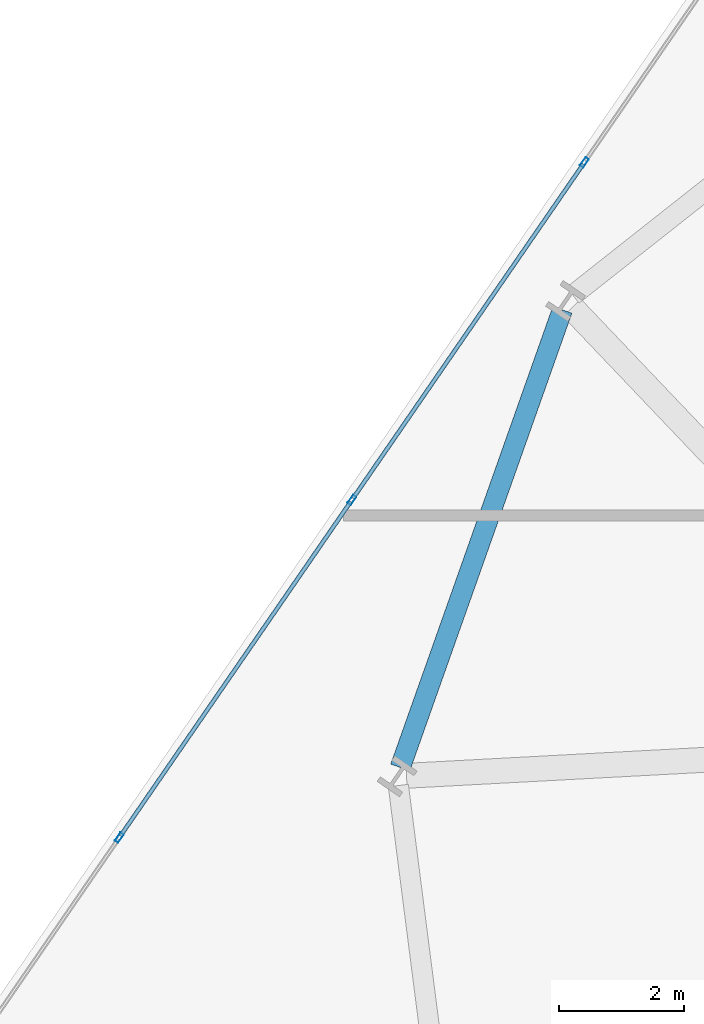
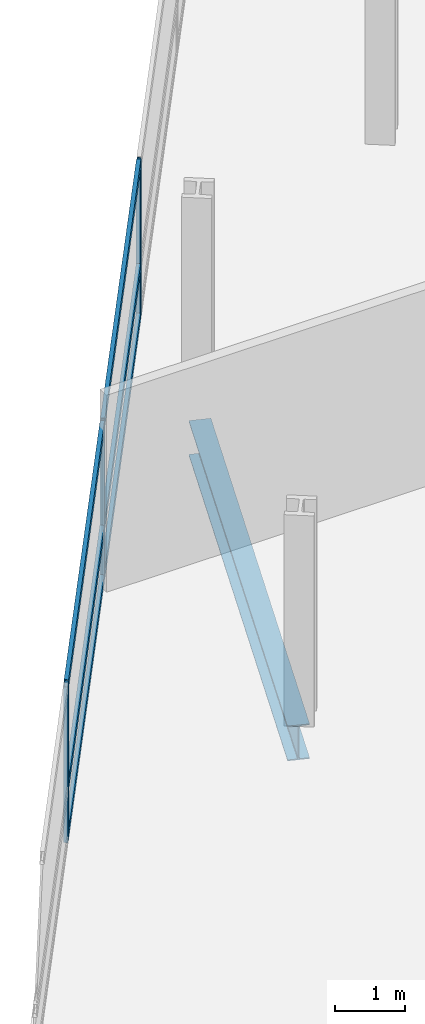
# One storey, part 4 of 25: 9 members, 1 beam, 1 element without a shape of its own.
"""IFC4 building model written with IfcOpenShell, lengths in metres."""

from ifc_helpers import new_model, si_unit, direction, frame, origin, origin_2d, place, context, subcontext, project, spatial, hollow_rectangle, i_section, extrude, material, layer, layer_set, material_profile, profile_set, type_object, element, aggregate, save


model = new_model("IFC4")

# Units and contexts
model_context = context("Model", 3, precision=1e-05, world=origin(), true_north=direction((0.0, 1.0)))
body_context = subcontext(model_context, "Body", "Model", "MODEL_VIEW")
ifc_project = project(units=[si_unit("LENGTHUNIT", "METRE"), si_unit("AREAUNIT", "SQUARE_METRE"), si_unit("VOLUMEUNIT", "CUBIC_METRE"), si_unit("PLANEANGLEUNIT", "RADIAN"), si_unit("MASSUNIT", "GRAM", prefix="KILO")], contexts=[model_context])

# Site, building, storey
site_placement = place(None, origin())
site = spatial("IfcSite", under=ifc_project, at=site_placement, CompositionType="ELEMENT")
building_placement = place(site_placement, origin())
building = spatial("IfcBuilding", under=site, at=building_placement, Name="Varnelok Gate Tower", CompositionType="ELEMENT")
storey_placement = place(building_placement, frame((0.0, 0.0, 56.60009765625)))
storey = spatial("IfcBuildingStorey", under=building, at=storey_placement, Name="L13", CompositionType="ELEMENT", Elevation=56.60009765625)

# Beam
ifc_material_1 = material(Name="Structural Steel ASTM A992 Grade 50", Category="steel")
ifc_material_profile_1 = material_profile(ifc_material_1, i_section(OverallWidth=0.323974609375, OverallDepth=0.611083984375, WebThickness=0.0126953125, FlangeThickness=0.01904296875, FilletRadius=0.01806640625, at=origin_2d()), Name="W24X104")
ifc_profile_set_1 = profile_set([ifc_material_profile_1], Name="Structural Steel ASTM A992 Grade 50")
beam_type = type_object("IfcBeamType", Name="BM-SPN-W24X104", PredefinedType="SPANDREL", material=ifc_profile_set_1)
beam_placement = place(storey_placement, frame((6.679931640625, 45.09619140625, -0.5556640625), z_axis=(-0.333877359029, -0.942616522838, 0.0), x_axis=(0.942616522838, -0.333877359029, 0.0)))
element("IfcBeam", 1, at=beam_placement, inside=storey, type_object=beam_type, Name="L13 Perimeter Spandrel Beam 15", PredefinedType="SPANDREL", context=body_context, shape_type="SweptSolid", body=[
    extrude(i_section(OverallWidth=0.323974609375, OverallDepth=0.611083984375, WebThickness=0.0126953125, FlangeThickness=0.01904296875, FilletRadius=0.01806640625, at=origin_2d()), origin(), (0.0, 0.0, 1.0), 7.77734375),
])

# Curtain wall, members
ifc_material_2 = material(Name="Anodized Aluminum Alloy 6063-T6", Category="aluminium")
ifc_layer = layer(ifc_material_2, 0.179931640625)
ifc_layer_set = layer_set([ifc_layer], Name="Anodized Aluminum Alloy 6063-T6")
curtain_wall_type = type_object("IfcCurtainWallType", Name="CW3-HOTEL-VISION", PredefinedType="USERDEFINED", material=ifc_layer_set)
curtain_wall_placement = place(storey_placement, origin())
curtain_wall = element("IfcCurtainWall", 2, at=curtain_wall_placement, inside=storey, type_object=curtain_wall_type, Name="L13 West End Vision Curtain Wall", ObjectType="UNITISED CURTAIN WALL", PredefinedType="USERDEFINED")
ifc_material_profile_2 = material_profile(ifc_material_2, hollow_rectangle(XDim=0.06494140625, YDim=0.159912109375, WallThickness=0.00390625, at=origin_2d()), Name="ALU160X65X4")
ifc_profile_set_2 = profile_set([ifc_material_profile_2], Name="Anodized Aluminum Alloy 6063-T6")
member_type_1 = type_object("IfcMemberType", Name="CW-MULL-160", PredefinedType="MULLION", material=ifc_profile_set_2)
member_1_placement = place(storey_placement, frame((-0.417236328125, 36.641845703125, 0.0), z_axis=(0.0, 0.0, 1.0), x_axis=(-0.823532685111, 0.567268822124, 0.0)))
member_1 = element("IfcMember", 3, at=member_1_placement, type_object=member_type_1, Name="CW3 mullion 2", PredefinedType="MULLION", context=body_context, shape_type="SweptSolid", body=[
    extrude(hollow_rectangle(XDim=0.06494140625, YDim=0.159912109375, WallThickness=0.00390625, at=origin_2d()), origin(), (0.0, 0.0, 1.0), 2.72998046875),
])
member_2_placement = place(storey_placement, frame((3.3076171875, 42.049560546875, 0.0), z_axis=(0.0, 0.0, 1.0), x_axis=(-0.823532685111, 0.567268822124, 0.0)))
member_2 = element("IfcMember", 4, at=member_2_placement, type_object=member_type_1, Name="CW3 mullion 3", PredefinedType="MULLION", context=body_context, shape_type="SweptSolid", body=[
    extrude(hollow_rectangle(XDim=0.06494140625, YDim=0.159912109375, WallThickness=0.00390625, at=origin_2d()), origin(), (0.0, 0.0, 1.0), 2.72998046875),
])
member_3_placement = place(storey_placement, frame((7.03271484375, 47.45751953125, 0.0), z_axis=(0.0, 0.0, 1.0), x_axis=(-0.823532685111, 0.567268822124, 0.0)))
member_3 = element("IfcMember", 5, at=member_3_placement, type_object=member_type_1, Name="CW3 mullion 4", PredefinedType="MULLION", context=body_context, shape_type="SweptSolid", body=[
    extrude(hollow_rectangle(XDim=0.06494140625, YDim=0.159912109375, WallThickness=0.00390625, at=origin_2d()), origin(), (0.0, 0.0, 1.0), 2.72998046875),
])
ifc_material_profile_3 = material_profile(ifc_material_2, hollow_rectangle(XDim=0.06494140625, YDim=0.159912109375, WallThickness=0.00390625, at=origin_2d()), Name="ALU160X65X4")
ifc_profile_set_3 = profile_set([ifc_material_profile_3], Name="Anodized Aluminum Alloy 6063-T6")
member_type_2 = type_object("IfcMemberType", Name="CW-TRAN-160", PredefinedType="USERDEFINED", material=ifc_profile_set_3)
member_4_placement = place(storey_placement, frame((-0.39892578125, 36.66845703125, 0.032470703125), z_axis=(0.567261662339, 0.823537616894, 0.0), x_axis=(-0.823537616894, 0.567261662339, 0.0)))
member_4 = element("IfcMember", 6, at=member_4_placement, type_object=member_type_2, Name="CW3 transom 2.1", ObjectType="TRANSOM", PredefinedType="USERDEFINED", context=body_context, shape_type="SweptSolid", body=[
    extrude(hollow_rectangle(XDim=0.06494140625, YDim=0.159912109375, WallThickness=0.00390625, at=origin_2d()), origin(), (0.0, 0.0, 1.0), 6.501708984375),
])
member_5_placement = place(storey_placement, frame((-0.39892578125, 36.66845703125, 0.89990234375), z_axis=(0.567261662339, 0.823537616894, 0.0), x_axis=(-0.823537616894, 0.567261662339, 0.0)))
member_5 = element("IfcMember", 7, at=member_5_placement, type_object=member_type_2, Name="CW3 transom 2.2", ObjectType="TRANSOM", PredefinedType="USERDEFINED", context=body_context, shape_type="SweptSolid", body=[
    extrude(hollow_rectangle(XDim=0.06494140625, YDim=0.159912109375, WallThickness=0.00390625, at=origin_2d()), origin(), (0.0, 0.0, 1.0), 6.501708984375),
])
member_6_placement = place(storey_placement, frame((-0.39892578125, 36.66845703125, 2.697509765625), z_axis=(0.567261662339, 0.823537616894, 0.0), x_axis=(-0.823537616894, 0.567261662339, 0.0)))
member_6 = element("IfcMember", 8, at=member_6_placement, type_object=member_type_2, Name="CW3 transom 2.3", ObjectType="TRANSOM", PredefinedType="USERDEFINED", context=body_context, shape_type="SweptSolid", body=[
    extrude(hollow_rectangle(XDim=0.06494140625, YDim=0.159912109375, WallThickness=0.00390625, at=origin_2d()), origin(), (0.0, 0.0, 1.0), 6.501708984375),
])
member_7_placement = place(storey_placement, frame((3.326171875, 42.076416015625, 0.032470703125), z_axis=(0.567279204469, 0.823525533409, 0.0), x_axis=(-0.823525533409, 0.567279204469, 0.0)))
member_7 = element("IfcMember", 9, at=member_7_placement, type_object=member_type_2, Name="CW3 transom 3.1", ObjectType="TRANSOM", PredefinedType="USERDEFINED", context=body_context, shape_type="SweptSolid", body=[
    extrude(hollow_rectangle(XDim=0.06494140625, YDim=0.159912109375, WallThickness=0.00390625, at=origin_2d()), origin(), (0.0, 0.0, 1.0), 6.501708984375),
])
member_8_placement = place(storey_placement, frame((3.326171875, 42.076416015625, 0.89990234375), z_axis=(0.567279204469, 0.823525533409, 0.0), x_axis=(-0.823525533409, 0.567279204469, 0.0)))
member_8 = element("IfcMember", 10, at=member_8_placement, type_object=member_type_2, Name="CW3 transom 3.2", ObjectType="TRANSOM", PredefinedType="USERDEFINED", context=body_context, shape_type="SweptSolid", body=[
    extrude(hollow_rectangle(XDim=0.06494140625, YDim=0.159912109375, WallThickness=0.00390625, at=origin_2d()), origin(), (0.0, 0.0, 1.0), 6.501708984375),
])
member_9_placement = place(storey_placement, frame((3.326171875, 42.076416015625, 2.697509765625), z_axis=(0.567279204469, 0.823525533409, 0.0), x_axis=(-0.823525533409, 0.567279204469, 0.0)))
member_9 = element("IfcMember", 11, at=member_9_placement, type_object=member_type_2, Name="CW3 transom 3.3", ObjectType="TRANSOM", PredefinedType="USERDEFINED", context=body_context, shape_type="SweptSolid", body=[
    extrude(hollow_rectangle(XDim=0.06494140625, YDim=0.159912109375, WallThickness=0.00390625, at=origin_2d()), origin(), (0.0, 0.0, 1.0), 6.501708984375),
])
aggregate(curtain_wall, [member_1, member_2, member_3, member_4, member_5, member_6, member_7, member_8, member_9])

save(model, "model.ifc")
